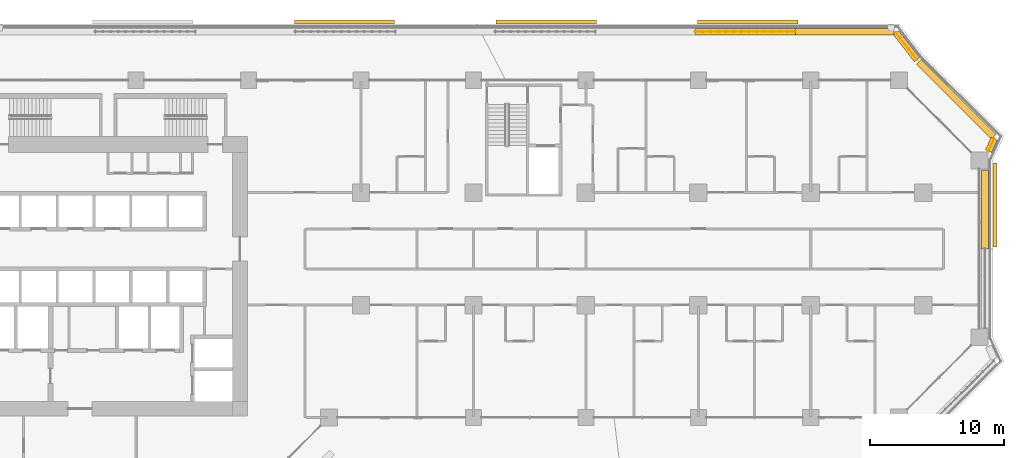
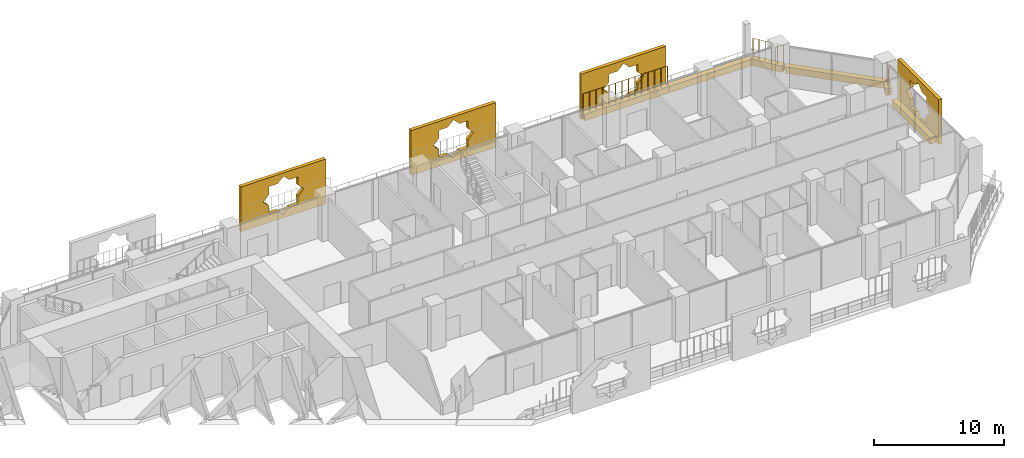
# One storey, part 27 of 27: 10 coverings, 3 railings.
"""IFC4 building model written with IfcOpenShell, lengths in metres."""

from ifc_helpers import new_model, si_unit, direction, frame, origin, origin_2d, place, context, subcontext, project, spatial, polyline, rectangle, circle, outline, extrude, material, material_profile, profile_set, type_object, element, save


model = new_model("IFC4")

# Units and contexts
model_context = context("Model", 3, precision=1e-05, world=origin(), true_north=direction((0.0, 1.0)))
body_context = subcontext(model_context, "Body", "Model", "MODEL_VIEW")
ifc_project = project(units=[si_unit("LENGTHUNIT", "METRE"), si_unit("AREAUNIT", "SQUARE_METRE"), si_unit("VOLUMEUNIT", "CUBIC_METRE"), si_unit("PLANEANGLEUNIT", "RADIAN"), si_unit("MASSUNIT", "GRAM", prefix="KILO")], contexts=[model_context])

# Site, building, storey
site_placement = place(None, origin())
site = spatial("IfcSite", under=ifc_project, at=site_placement, CompositionType="ELEMENT")
building_placement = place(site_placement, origin())
building = spatial("IfcBuilding", under=site, at=building_placement, Name="Kawkab Arch Medical Tower", CompositionType="ELEMENT")
storey_placement = place(building_placement, frame((0.0, 0.0, 85.39990234375)))
storey = spatial("IfcBuildingStorey", under=building, at=storey_placement, Name="L19", CompositionType="ELEMENT", Elevation=85.39990234375)

# Coverings
ifc_material_1 = material(Name="Bronze anodised aluminium mashrabiya panel, eight-point star pattern", Category="aluminium")
ifc_material_profile_1 = material_profile(ifc_material_1, outline(polyline([(-3.14990234375, -2.10009765625), (3.14990234375, -2.10009765625), (3.14990234375, 2.10009765625), (-3.14990234375, 2.10009765625), (-3.14990234375, -2.10009765625)]), holes=[polyline([(1.800048828125, 0.0), (1.272705078125, 0.527099609375), (1.272705078125, 1.272705078125), (0.527099609375, 1.272705078125), (0.0, 1.800048828125), (-0.527099609375, 1.272705078125), (-1.272705078125, 1.272705078125), (-1.272705078125, 0.527099609375), (-1.800048828125, 0.0), (-1.272705078125, -0.527099609375), (-1.272705078125, -1.272705078125), (-0.527099609375, -1.272705078125), (0.0, -1.800048828125), (0.527099609375, -1.272705078125), (1.272705078125, -1.272705078125), (1.272705078125, -0.527099609375), (1.800048828125, 0.0)])]), Name="Mashrabiya panel 6300x4200")
ifc_profile_set_1 = profile_set([ifc_material_profile_1], Name="Bronze anodised aluminium mashrabiya panel, eight-point star pattern")
covering_type_1 = type_object("IfcCoveringType", Name="Mashrabiya panel 6300 x 4200", PredefinedType="USERDEFINED", material=ifc_profile_set_1)
covering_1_placement = place(storey_placement, frame((80.800048828125, -9.31884765625, 1.7001953125), z_axis=(1.0, 0.0, 0.0), x_axis=(0.0, 1.0, 0.0)))
element("IfcCovering", 1, at=covering_1_placement, inside=storey, type_object=covering_type_1, Name="Mashrabiya panel L19.LOG-01-01.10", ObjectType="SCREEN", PredefinedType="USERDEFINED", context=body_context, shape_type="SweptSolid", body=[
    extrude(outline(polyline([(-3.14990234375, -2.10009765625), (3.14990234375, -2.10009765625), (3.14990234375, 2.10009765625), (-3.14990234375, 2.10009765625), (-3.14990234375, -2.10009765625)]), holes=[polyline([(1.800048828125, 0.0), (1.272705078125, 0.527099609375), (1.272705078125, 1.272705078125), (0.527099609375, 1.272705078125), (0.0, 1.800048828125), (-0.527099609375, 1.272705078125), (-1.272705078125, 1.272705078125), (-1.272705078125, 0.527099609375), (-1.800048828125, 0.0), (-1.272705078125, -0.527099609375), (-1.272705078125, -1.272705078125), (-0.527099609375, -1.272705078125), (0.0, -1.800048828125), (0.527099609375, -1.272705078125), (1.272705078125, -1.272705078125), (1.272705078125, -0.527099609375), (1.800048828125, 0.0)])]), origin(), (0.0, 0.0, 1.0), 0.300048828125),
])
ifc_material_2 = material(Name="Bronze anodised aluminium mashrabiya panel, eight-point star pattern", Category="aluminium")
ifc_material_profile_2 = material_profile(ifc_material_2, outline(polyline([(-3.75, -2.10009765625), (3.75, -2.10009765625), (3.75, 2.10009765625), (-3.75, 2.10009765625), (-3.75, -2.10009765625)]), holes=[polyline([(1.800048828125, 0.0), (1.272705078125, 0.527099609375), (1.272705078125, 1.272705078125), (0.527099609375, 1.272705078125), (0.0, 1.800048828125), (-0.527099609375, 1.272705078125), (-1.272705078125, 1.272705078125), (-1.272705078125, 0.527099609375), (-1.800048828125, 0.0), (-1.272705078125, -0.527099609375), (-1.272705078125, -1.272705078125), (-0.527099609375, -1.272705078125), (0.0, -1.800048828125), (0.527099609375, -1.272705078125), (1.272705078125, -1.272705078125), (1.272705078125, -0.527099609375), (1.800048828125, 0.0)])]), Name="Mashrabiya panel 7500x4200")
ifc_profile_set_2 = profile_set([ifc_material_profile_2], Name="Bronze anodised aluminium mashrabiya panel, eight-point star pattern")
covering_type_2 = type_object("IfcCoveringType", Name="Mashrabiya panel 7500 x 4200", PredefinedType="USERDEFINED", material=ifc_profile_set_2)
for number, where, z_axis, x_axis, name in (
    (2, (32.367919921875, 4.199951171875, 1.7001953125), (0.0, 1.0, 0.0), (-1.0, 0.0, 0.0), "Mashrabiya panel L19.LOG-01-01.7"),
    (3, (47.43212890625, 4.199951171875, 1.7001953125), (0.0, 1.0, 0.0), (-1.0, 0.0, 0.0), "Mashrabiya panel L19.LOG-01-01.8"),
    (4, (62.49658203125, 4.199951171875, 1.7001953125), (0.0, 1.0, 0.0), (-1.0, 0.0, 0.0), "Mashrabiya panel L19.LOG-01-01.9"),
):
    element("IfcCovering", number, at=place(storey_placement, frame(where, z_axis=z_axis, x_axis=x_axis)), inside=storey, type_object=covering_type_2, Name=name, ObjectType="SCREEN", PredefinedType="USERDEFINED", context=body_context, shape_type="SweptSolid", body=[
        extrude(outline(polyline([(-3.75, -2.10009765625), (3.75, -2.10009765625), (3.75, 2.10009765625), (-3.75, 2.10009765625), (-3.75, -2.10009765625)]), holes=[polyline([(1.800048828125, 0.0), (1.272705078125, 0.527099609375), (1.272705078125, 1.272705078125), (0.527099609375, 1.272705078125), (0.0, 1.800048828125), (-0.527099609375, 1.272705078125), (-1.272705078125, 1.272705078125), (-1.272705078125, 0.527099609375), (-1.800048828125, 0.0), (-1.272705078125, -0.527099609375), (-1.272705078125, -1.272705078125), (-0.527099609375, -1.272705078125), (0.0, -1.800048828125), (0.527099609375, -1.272705078125), (1.272705078125, -1.272705078125), (1.272705078125, -0.527099609375), (1.800048828125, 0.0)])]), origin(), (0.0, 0.0, 1.0), 0.300048828125),
    ])
ifc_material_3 = material(Name="Planting soil in a precast trough", Category="concrete")
ifc_material_profile_3 = material_profile(ifc_material_3, rectangle(XDim=0.5, YDim=0.60009765625, at=origin_2d()), Name="Trough 500x600")
ifc_profile_set_3 = profile_set([ifc_material_profile_3], Name="Planting soil in a precast trough")
covering_type_3 = type_object("IfcCoveringType", Name="Planter trough 500 x 600", PredefinedType="USERDEFINED", material=ifc_profile_set_3)
covering_2_placement = place(storey_placement, frame((58.575927734375, 3.6201171875, 0.300048828125), z_axis=(1.0, 0.0, 0.0), x_axis=(0.0, 1.0, 0.0)))
element("IfcCovering", 5, at=covering_2_placement, inside=storey, type_object=covering_type_3, Name="Planter L19.LOG-01-01.27", ObjectType="PLANTER", PredefinedType="USERDEFINED", context=body_context, shape_type="SweptSolid", body=[
    extrude(rectangle(XDim=0.5, YDim=0.60009765625, at=origin_2d()), origin(), (0.0, 0.0, 1.0), 7.469970703125),
])
covering_3_placement = place(storey_placement, frame((66.0458984375, 3.6201171875, 0.300048828125), z_axis=(1.0, 0.0, 0.0), x_axis=(0.0, 1.0, 0.0)))
element("IfcCovering", 6, at=covering_3_placement, inside=storey, type_object=covering_type_3, Name="Planter L19.LOG-01-01.28", ObjectType="PLANTER", PredefinedType="USERDEFINED", context=body_context, shape_type="SweptSolid", body=[
    extrude(rectangle(XDim=0.5, YDim=0.60009765625, at=origin_2d()), origin(), (0.0, 0.0, 1.0), 7.3701171875),
])
covering_4_placement = place(storey_placement, frame((73.577880859375, 3.541015625, 0.300048828125), z_axis=(0.614099956103, -0.789228258436, 0.0), x_axis=(0.789228258436, 0.614099956103, 0.0)))
element("IfcCovering", 7, at=covering_4_placement, inside=storey, type_object=covering_type_3, Name="Planter L19.LOG-01-01.29", ObjectType="PLANTER", PredefinedType="USERDEFINED", context=body_context, shape_type="SweptSolid", body=[
    extrude(rectangle(XDim=0.5, YDim=0.60009765625, at=origin_2d()), origin(), (0.0, 0.0, 1.0), 2.545654296875),
])
covering_5_placement = place(storey_placement, frame((75.27294921875, 1.383056640625, 0.300048828125), z_axis=(0.707106781187, -0.707106781187, 0.0), x_axis=(0.707106781187, 0.707106781187, 0.0)))
element("IfcCovering", 8, at=covering_5_placement, inside=storey, type_object=covering_type_3, Name="Planter L19.LOG-01-01.30", ObjectType="PLANTER", PredefinedType="USERDEFINED", context=body_context, shape_type="SweptSolid", body=[
    extrude(rectangle(XDim=0.5, YDim=0.60009765625, at=origin_2d()), origin(), (0.0, 0.0, 1.0), 7.919677734375),
])
covering_6_placement = place(storey_placement, frame((80.902099609375, -4.37890625, 0.300048828125), z_axis=(-0.415071571878, -0.909788761317, 0.0), x_axis=(0.909788761317, -0.415071571878, 0.0)))
element("IfcCovering", 9, at=covering_6_placement, inside=storey, type_object=covering_type_3, Name="Planter L19.LOG-01-01.31", ObjectType="PLANTER", PredefinedType="USERDEFINED", context=body_context, shape_type="SweptSolid", body=[
    extrude(rectangle(XDim=0.5, YDim=0.60009765625, at=origin_2d()), origin(), (0.0, 0.0, 1.0), 1.0146484375),
])
covering_7_placement = place(storey_placement, frame((80.219970703125, -6.705078125, 0.300048828125), z_axis=(0.0, -1.0, 0.0), x_axis=(1.0, 0.0, 0.0)))
element("IfcCovering", 10, at=covering_7_placement, inside=storey, type_object=covering_type_3, Name="Planter L19.LOG-01-01.32", ObjectType="PLANTER", PredefinedType="USERDEFINED", context=body_context, shape_type="SweptSolid", body=[
    extrude(rectangle(XDim=0.5, YDim=0.60009765625, at=origin_2d()), origin(), (0.0, 0.0, 1.0), 5.89501953125),
])

# Railings
ifc_material_4 = material(Name="Bronze anodised aluminium trellis for climbing plants", Category="aluminium")
railing_type = type_object("IfcRailingType", Name="Planting trellis 2400", PredefinedType="USERDEFINED", material=ifc_material_4)
railing_1_placement = place(storey_placement, frame((58.575927734375, 3.6201171875, 0.0)))
element("IfcRailing", 11, at=railing_1_placement, inside=storey, type_object=railing_type, Name="Planting trellis L19.LOG-01-01.27", ObjectType="TRELLIS", PredefinedType="USERDEFINED", context=body_context, shape_type="SweptSolid", body=[
    extrude(circle(Radius=0.01513671875, at=origin_2d()), frame((0.0, 0.0, 2.384765625), z_axis=(1.0, 0.0, 0.0), x_axis=(0.0, 1.0, 0.0)), (0.0, 0.0, 1.0), 7.469970703125),
    extrude(circle(Radius=0.030029296875, at=origin_2d()), origin(), (0.0, 0.0, 1.0), 2.369873046875),
    extrude(circle(Radius=0.030029296875, at=origin_2d()), frame((0.57470703125, 0.0, 0.0)), (0.0, 0.0, 1.0), 2.369873046875),
    extrude(circle(Radius=0.030029296875, at=origin_2d()), frame((1.149169921875, 0.0, 0.0)), (0.0, 0.0, 1.0), 2.369873046875),
    extrude(circle(Radius=0.030029296875, at=origin_2d()), frame((1.723876953125, 0.0, 0.0)), (0.0, 0.0, 1.0), 2.369873046875),
    extrude(circle(Radius=0.030029296875, at=origin_2d()), frame((2.29833984375, 0.0, 0.0)), (0.0, 0.0, 1.0), 2.369873046875),
    extrude(circle(Radius=0.030029296875, at=origin_2d()), frame((2.873046875, 0.0, 0.0)), (0.0, 0.0, 1.0), 2.369873046875),
    extrude(circle(Radius=0.030029296875, at=origin_2d()), frame((3.44775390625, 0.0, 0.0)), (0.0, 0.0, 1.0), 2.369873046875),
    extrude(circle(Radius=0.030029296875, at=origin_2d()), frame((4.022216796875, 0.0, 0.0)), (0.0, 0.0, 1.0), 2.369873046875),
    extrude(circle(Radius=0.030029296875, at=origin_2d()), frame((4.596923828125, 0.0, 0.0)), (0.0, 0.0, 1.0), 2.369873046875),
    extrude(circle(Radius=0.030029296875, at=origin_2d()), frame((5.171630859375, 0.0, 0.0)), (0.0, 0.0, 1.0), 2.369873046875),
    extrude(circle(Radius=0.030029296875, at=origin_2d()), frame((5.74609375, 0.0, 0.0)), (0.0, 0.0, 1.0), 2.369873046875),
    extrude(circle(Radius=0.030029296875, at=origin_2d()), frame((6.32080078125, 0.0, 0.0)), (0.0, 0.0, 1.0), 2.369873046875),
    extrude(circle(Radius=0.030029296875, at=origin_2d()), frame((6.895263671875, 0.0, 0.0)), (0.0, 0.0, 1.0), 2.369873046875),
    extrude(circle(Radius=0.030029296875, at=origin_2d()), frame((7.469970703125, 0.0, 0.0)), (0.0, 0.0, 1.0), 2.369873046875),
])
railing_2_placement = place(storey_placement, frame((73.577880859375, 3.541015625, 0.0)))
element("IfcRailing", 12, at=railing_2_placement, inside=storey, type_object=railing_type, Name="Planting trellis L19.LOG-01-01.29", ObjectType="TRELLIS", PredefinedType="USERDEFINED", context=body_context, shape_type="SweptSolid", body=[
    extrude(circle(Radius=0.01513671875, at=origin_2d()), frame((0.0, 0.0, 2.384765625), z_axis=(0.614099956103, -0.789228258436, 0.0), x_axis=(0.789228258436, 0.614099956103, 0.0)), (0.0, 0.0, 1.0), 2.545654296875),
    extrude(circle(Radius=0.030029296875, at=origin_2d()), origin(), (0.0, 0.0, 1.0), 2.369873046875),
    extrude(circle(Radius=0.030029296875, at=origin_2d()), frame((0.312744140625, -0.40185546875, 0.0)), (0.0, 0.0, 1.0), 2.369873046875),
    extrude(circle(Radius=0.030029296875, at=origin_2d()), frame((0.625244140625, -0.8037109375, 0.0)), (0.0, 0.0, 1.0), 2.369873046875),
    extrude(circle(Radius=0.030029296875, at=origin_2d()), frame((0.93798828125, -1.205322265625, 0.0)), (0.0, 0.0, 1.0), 2.369873046875),
    extrude(circle(Radius=0.030029296875, at=origin_2d()), frame((1.25048828125, -1.607177734375, 0.0)), (0.0, 0.0, 1.0), 2.369873046875),
    extrude(circle(Radius=0.030029296875, at=origin_2d()), frame((1.563232421875, -2.009033203125, 0.0)), (0.0, 0.0, 1.0), 2.369873046875),
])
railing_3_placement = place(storey_placement, frame((80.902099609375, -4.37890625, 0.0)))
element("IfcRailing", 13, at=railing_3_placement, inside=storey, type_object=railing_type, Name="Planting trellis L19.LOG-01-01.31", ObjectType="TRELLIS", PredefinedType="USERDEFINED", context=body_context, shape_type="SweptSolid", body=[
    extrude(circle(Radius=0.01513671875, at=origin_2d()), frame((0.0, 0.0, 2.384765625), z_axis=(-0.415071571878, -0.909788761317, 0.0), x_axis=(0.909788761317, -0.415071571878, 0.0)), (0.0, 0.0, 1.0), 1.0146484375),
    extrude(circle(Radius=0.030029296875, at=origin_2d()), origin(), (0.0, 0.0, 1.0), 2.369873046875),
    extrude(circle(Radius=0.030029296875, at=origin_2d()), frame((-0.21044921875, -0.46142578125, 0.0)), (0.0, 0.0, 1.0), 2.369873046875),
    extrude(circle(Radius=0.030029296875, at=origin_2d()), frame((-0.421142578125, -0.923095703125, 0.0)), (0.0, 0.0, 1.0), 2.369873046875),
])

save(model, "model.ifc")
